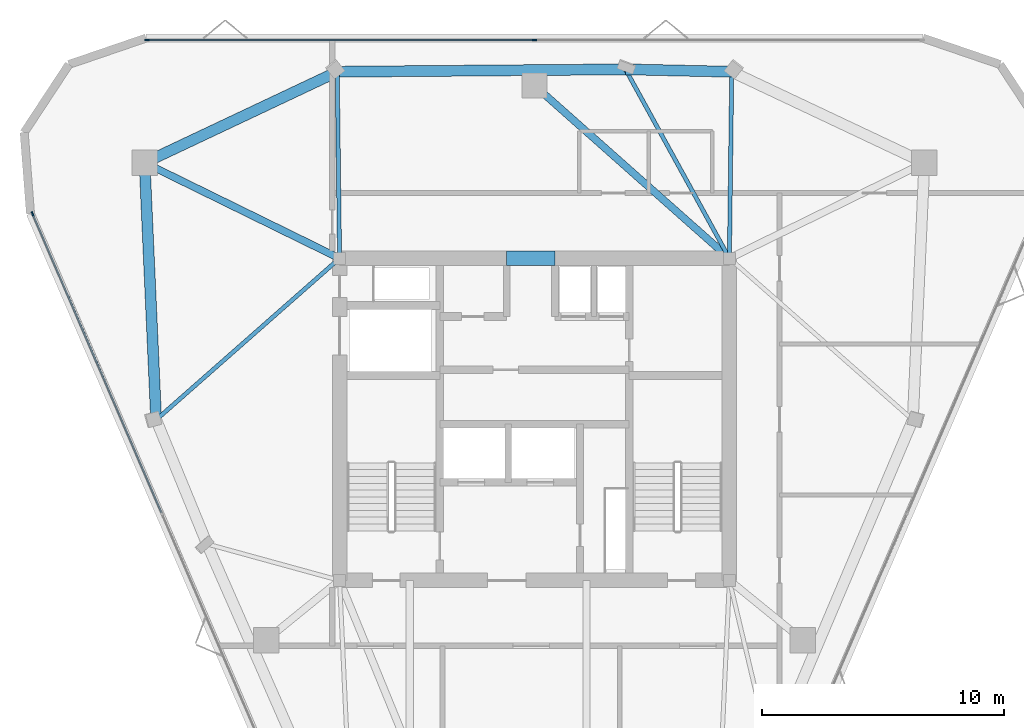
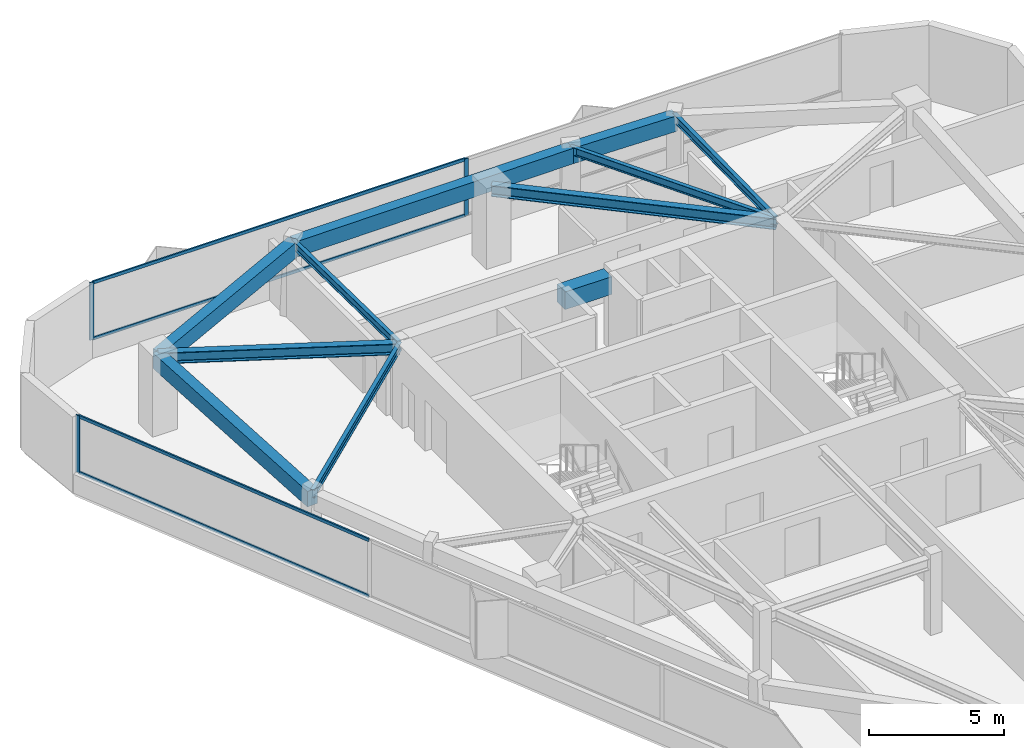
# One storey, part 4 of 9: 11 beams, 7 members, 2 elements without a shape of their own.
"""IFC4 building model written with IfcOpenShell, lengths in metres."""

import ifcopenshell
import ifcopenshell.guid

model = None  # the IFC model being written
_history = None  # IfcOwnerHistory: only IFC2X3 demands one
_inside = {}  # id of a spatial element -> (the spatial element, [elements in it])
_under = {}  # id of a project, library or spatial element -> (it, [spatial elements below it])
_declared = {}  # id of a project -> (the project, [libraries it declares])
_typed = {}  # id of a type object -> (the type object, [elements of that type])
_made_of = {}  # id of a material, layer set ... -> (it, [elements and type objects made of it])


def new_model(schema):
    """Start an empty IFC model of exactly this schema.

    Asked for "IFC4X3", IfcOpenShell would pick the latest addendum, in which some entities
    have other attributes; the version numbers below select the first issue.
    IFC2X3 requires an IfcOwnerHistory on every rooted entity: one is made here for all.
    """
    global model, _history
    if schema == "IFC4X3":
        model = ifcopenshell.file(schema_version=(4, 3, 0, 0))
    else:
        model = ifcopenshell.file(schema=schema)
    _inside.clear()
    _under.clear()
    _declared.clear()
    _typed.clear()
    _made_of.clear()
    _history = None
    if model.schema == "IFC2X3":
        org = make("IfcOrganization", Name="unknown")
        user = make(
            "IfcPersonAndOrganization",
            ThePerson=make("IfcPerson", FamilyName="unknown"),
            TheOrganization=org,
        )
        app = make(
            "IfcApplication",
            ApplicationDeveloper=org,
            Version="unknown",
            ApplicationFullName="unknown",
            ApplicationIdentifier="unknown",
        )
        _history = make(
            "IfcOwnerHistory",
            OwningUser=user,
            OwningApplication=app,
            ChangeAction="ADDED",
            CreationDate=0,
        )
    return model


def make(cls, **values):
    """One entity of the class cls with the attributes given. An attribute that is None is left unset."""
    return model.create_entity(
        cls, **{name: value for name, value in values.items() if value is not None}
    )


def rooted(cls, **values):
    """An entity with a GlobalId (a new one), such as an element, a storey or a relation."""
    return make(cls, GlobalId=ifcopenshell.guid.new(), OwnerHistory=_history, **values)


def si_unit(unit_type, name, prefix=None):
    """IfcSIUnit, for example si_unit("LENGTHUNIT", "METRE", prefix="MILLI")."""
    return make("IfcSIUnit", UnitType=unit_type, Prefix=prefix, Name=name)


def assignment(units):
    """IfcUnitAssignment: the units of a project."""
    return None if units is None else make("IfcUnitAssignment", Units=units)


def point(xyz):
    """IfcCartesianPoint."""
    return None if xyz is None else make("IfcCartesianPoint", Coordinates=xyz)


def direction(xyz):
    """IfcDirection."""
    return None if xyz is None else make("IfcDirection", DirectionRatios=xyz)


def frame(location, z_axis=None, x_axis=None):
    """IfcAxis2Placement3D, a coordinate frame: its origin and axes. An axis left out is left unset."""
    return make(
        "IfcAxis2Placement3D",
        Location=point(location),
        Axis=direction(z_axis),
        RefDirection=direction(x_axis),
    )


def frame_2d(location, x_axis=None):
    """IfcAxis2Placement2D, a coordinate frame in the plane: its origin and x axis."""
    return make(
        "IfcAxis2Placement2D", Location=point(location), RefDirection=direction(x_axis)
    )


def origin():
    """The frame at (0, 0, 0) with its axes left unset."""
    return frame((0.0, 0.0, 0.0))


def origin_2d():
    """The frame at (0, 0) in the plane with its x axis left unset."""
    return frame_2d((0.0, 0.0))


def place(relative_to, where):
    """IfcLocalPlacement: puts the frame where relative to a parent placement (None: the world)."""
    return make(
        "IfcLocalPlacement", PlacementRelTo=relative_to, RelativePlacement=where
    )


def context(
    kind, dimensions, precision=None, world=None, true_north=None, identifier=None
):
    """IfcGeometricRepresentationContext, for example the 3D "Model" context."""
    return make(
        "IfcGeometricRepresentationContext",
        ContextIdentifier=identifier,
        ContextType=kind,
        CoordinateSpaceDimension=dimensions,
        Precision=precision,
        WorldCoordinateSystem=world,
        TrueNorth=true_north,
    )


def subcontext(parent, identifier, kind, view, scale=None):
    """IfcGeometricRepresentationSubContext, for example "Body" below "Model"."""
    return make(
        "IfcGeometricRepresentationSubContext",
        ContextIdentifier=identifier,
        ContextType=kind,
        ParentContext=parent,
        TargetScale=scale,
        TargetView=view,
    )


def project(units=None, contexts=None):
    """IfcProject with its units and contexts."""
    return rooted(
        "IfcProject",
        Name="project",
        RepresentationContexts=contexts,
        UnitsInContext=assignment(units),
    )


def spatial(cls, under=None, at=None, **own):
    """A site, building, storey or space (cls), placed at a placement, below another one or the project."""
    s = rooted(cls, ObjectPlacement=at, **own)
    if under is not None:
        _under.setdefault(under.id(), (under, []))[1].append(s)
    return s


def profile(cls, at=None, kind="AREA", **sizes):
    """A parametric profile (cls). Its sizes go by their IFC names, for example OverallWidth=200.0."""
    return make(cls, ProfileType=kind, Position=at, **sizes)


def rectangle(**sizes):
    """IfcRectangleProfileDef."""
    return profile("IfcRectangleProfileDef", **sizes)


def i_section(**sizes):
    """IfcIShapeProfileDef."""
    return profile("IfcIShapeProfileDef", **sizes)


def extrude(swept, where, along, depth):
    """IfcExtrudedAreaSolid: the profile swept, set in the frame where, extruded along a direction by depth."""
    return make(
        "IfcExtrudedAreaSolid",
        SweptArea=swept,
        Position=where,
        ExtrudedDirection=direction(along),
        Depth=depth,
    )


def shape(context_of_items, identifier, shape_type, items):
    """IfcShapeRepresentation: the items that make up one representation, for example the "Body"."""
    return make(
        "IfcShapeRepresentation",
        ContextOfItems=context_of_items,
        RepresentationIdentifier=identifier,
        RepresentationType=shape_type,
        Items=items,
    )


def material(Name=None, Category=None):
    """IfcMaterial."""
    return make("IfcMaterial", Name=Name, Category=Category)


def layer(
    of_material, thickness, ventilated=None, Name=None, Category=None, Priority=None
):
    """IfcMaterialLayer: one layer of a wall or slab, of a material (None: an air gap)."""
    return make(
        "IfcMaterialLayer",
        Material=of_material,
        LayerThickness=thickness,
        IsVentilated=ventilated,
        Name=Name,
        Category=Category,
        Priority=Priority,
    )


def layer_set(layers, Name=None):
    """IfcMaterialLayerSet."""
    return make("IfcMaterialLayerSet", MaterialLayers=layers, LayerSetName=Name)


def material_profile(
    of_material, cross_section, Name=None, Category=None, Priority=None
):
    """IfcMaterialProfile: a cross section and its material."""
    return make(
        "IfcMaterialProfile",
        Name=Name,
        Material=of_material,
        Profile=cross_section,
        Priority=Priority,
        Category=Category,
    )


def profile_set(profiles, Name=None, composite=None):
    """IfcMaterialProfileSet."""
    return make(
        "IfcMaterialProfileSet",
        Name=Name,
        MaterialProfiles=profiles,
        CompositeProfile=composite,
    )


def made_of(thing, what):
    """Note that an element or type object is made of a material, layer set ...; save() writes the relation."""
    if what is not None:
        _made_of.setdefault(what.id(), (what, []))[1].append(thing)
    return thing


def type_object(cls, material=None, **own):
    """A type object (cls), such as IfcWallType, which elements share."""
    return made_of(rooted(cls, **own), material)


def element(
    cls,
    number,
    at=None,
    inside=None,
    cuts=None,
    type_object=None,
    material=None,
    context=None,
    identifier="Body",
    shape_type=None,
    held_by="IfcProductDefinitionShape",
    body=None,
    shapes=None,
    **own,
):
    """One element of the class cls, such as IfcWall. Its Tag is "e" and its number.

    at: its placement. inside: the storey or other place that contains it. cuts: it is an
    opening in that element (IfcRelVoidsElement). A single representation is given by context,
    identifier, shape_type and body (its items); several are given by shapes. held_by: the class
    of the entity that holds the representations. save() writes the other relations.
    """
    e = rooted(cls, Tag="e%d" % number, ObjectPlacement=at, **own)
    if body is not None:
        shapes = [shape(context, identifier, shape_type, body)]
    if shapes is not None:
        e.Representation = make(held_by, Representations=shapes)
    if inside is not None:
        _inside.setdefault(inside.id(), (inside, []))[1].append(e)
    if cuts is not None:
        rooted(
            "IfcRelVoidsElement", RelatingBuildingElement=cuts, RelatedOpeningElement=e
        )
    if type_object is not None:
        _typed.setdefault(type_object.id(), (type_object, []))[1].append(e)
    return made_of(e, material)


def aggregate(whole, parts):
    """IfcRelAggregates: a whole, such as a stair, and the parts it consists of."""
    return rooted("IfcRelAggregates", RelatingObject=whole, RelatedObjects=parts)


def save(model, path):
    """Write the relations noted so far, then the file.

    IfcRelAggregates (storeys below a building ...), IfcRelContainedInSpatialStructure (elements
    in a storey), IfcRelDefinesByType, IfcRelAssociatesMaterial and IfcRelDeclares: one each for
    every whole, place, type object, material and project.
    """
    for whole, parts in _under.values():
        aggregate(whole, parts)
    for where, things in _inside.values():
        rooted(
            "IfcRelContainedInSpatialStructure",
            RelatedElements=things,
            RelatingStructure=where,
        )
    for kind, things in _typed.values():
        rooted("IfcRelDefinesByType", RelatedObjects=things, RelatingType=kind)
    for what, things in _made_of.values():
        rooted("IfcRelAssociatesMaterial", RelatedObjects=things, RelatingMaterial=what)
    for by, libraries in _declared.values():
        rooted("IfcRelDeclares", RelatingContext=by, RelatedDefinitions=libraries)
    model.write(path)


model = new_model("IFC4")

# Units and contexts
model_context = context("Model", 3, precision=1e-05, world=origin(), true_north=direction((0.0, 1.0)))
body_context = subcontext(model_context, "Body", "Model", "MODEL_VIEW")
ifc_project = project(units=[si_unit("LENGTHUNIT", "METRE"), si_unit("AREAUNIT", "SQUARE_METRE"), si_unit("VOLUMEUNIT", "CUBIC_METRE"), si_unit("PLANEANGLEUNIT", "RADIAN"), si_unit("MASSUNIT", "GRAM", prefix="KILO")], contexts=[model_context])

# Site, building, storey
site_placement = place(None, origin())
site = spatial("IfcSite", under=ifc_project, at=site_placement, CompositionType="ELEMENT")
building_placement = place(site_placement, origin())
building = spatial("IfcBuilding", under=site, at=building_placement, Name="Talyreon Biosciences Tower", CompositionType="ELEMENT")
storey_placement = place(building_placement, frame((0.0, 0.0, 298.39990234375)))
storey = spatial("IfcBuildingStorey", under=building, at=storey_placement, Name="L79", CompositionType="ELEMENT", Elevation=298.39990234375)

# Curtain wall, member
ifc_material_1 = material(Name="Thermally broken aluminium and low-E glazing", Category="aluminium")
ifc_layer = layer(ifc_material_1, 0.175048828125)
ifc_layer_set = layer_set([ifc_layer], Name="Thermally broken aluminium and low-E glazing")
curtain_wall_type = type_object("IfcCurtainWallType", Name="CurtainWall_Zone5CompLab", PredefinedType="NOTDEFINED", material=ifc_layer_set)
curtain_wall_1_placement = place(storey_placement, origin())
curtain_wall_1 = element("IfcCurtainWall", 1, at=curtain_wall_1_placement, inside=storey, type_object=curtain_wall_type, Name="L79 Unitised Curtain Wall FCW-L79-00", PredefinedType="NOTDEFINED")
ifc_material_2 = material(Name="Anodised thermally broken aluminium", Category="aluminium")
ifc_material_profile_1 = material_profile(ifc_material_2, rectangle(XDim=0.06494140625, YDim=0.179931640625, at=origin_2d()), Name="ALUM MULLION 65x180")
ifc_profile_set_1 = profile_set([ifc_material_profile_1], Name="Anodised thermally broken aluminium")
member_type_1 = type_object("IfcMemberType", Name="CWMullion_65x180", PredefinedType="MULLION", material=ifc_profile_set_1)
member_1_placement = place(storey_placement, frame((45.26953125, 76.4921875, 0.81005859375), z_axis=(0.0, 0.0, 1.0), x_axis=(-0.918187314575, -0.396146507437, 0.0)))
member_1 = element("IfcMember", 2, at=member_1_placement, type_object=member_type_1, Name="CW6 mullion 4", PredefinedType="MULLION", context=body_context, shape_type="SweptSolid", body=[
    extrude(rectangle(XDim=0.06494140625, YDim=0.179931640625, at=origin_2d()), origin(), (0.0, 0.0, 1.0), 2.590087890625),
])

# Curtain wall, members
curtain_wall_2_placement = place(storey_placement, origin())
curtain_wall_2 = element("IfcCurtainWall", 3, at=curtain_wall_2_placement, inside=storey, type_object=curtain_wall_type, Name="L79 Unitised Curtain Wall FCW-L79-04", PredefinedType="NOTDEFINED")
member_2_placement = place(storey_placement, frame((49.990234375, 83.67041015625, 0.81005859375), z_axis=(0.0, 0.0, 1.0), x_axis=(0.0, 1.0, 0.0)))
member_2 = element("IfcMember", 4, at=member_2_placement, type_object=member_type_1, Name="CW6 mullion 1", PredefinedType="MULLION", context=body_context, shape_type="SweptSolid", body=[
    extrude(rectangle(XDim=0.06494140625, YDim=0.179931640625, at=origin_2d()), origin(), (0.0, 0.0, 1.0), 2.590087890625),
])
member_3_placement = place(storey_placement, frame((66.0, 83.67041015625, 0.81005859375), z_axis=(0.0, 0.0, 1.0), x_axis=(0.0, 1.0, 0.0)))
member_3 = element("IfcMember", 5, at=member_3_placement, type_object=member_type_1, Name="CW6 mullion 2", PredefinedType="MULLION", context=body_context, shape_type="SweptSolid", body=[
    extrude(rectangle(XDim=0.06494140625, YDim=0.179931640625, at=origin_2d()), origin(), (0.0, 0.0, 1.0), 2.590087890625),
])

# Member
ifc_material_profile_2 = material_profile(ifc_material_2, rectangle(XDim=0.06494140625, YDim=0.139892578125, at=origin_2d()), Name="ALUM TRANSOM 65x140")
ifc_profile_set_2 = profile_set([ifc_material_profile_2], Name="Anodised thermally broken aluminium")
member_type_2 = type_object("IfcMemberType", Name="CWTransom_65x140", PredefinedType="USERDEFINED", material=ifc_profile_set_2)
member_4_placement = place(storey_placement, frame((50.591064453125, 64.15771484375, 0.842529296875), z_axis=(-0.396134480122, 0.918192503595, 0.0), x_axis=(-0.918192503595, -0.396134480122, 0.0)))
member_4 = element("IfcMember", 6, at=member_4_placement, type_object=member_type_2, Name="CW6 transom 3.1", ObjectType="TRANSOM", PredefinedType="USERDEFINED", context=body_context, shape_type="SweptSolid", body=[
    extrude(rectangle(XDim=0.06494140625, YDim=0.139892578125, at=origin_2d()), origin(), (0.0, 0.0, 1.0), 13.40087890625),
])

member_5_placement = place(storey_placement, frame((50.591064453125, 64.15771484375, 3.36767578125), z_axis=(-0.396134480122, 0.918192503595, 0.0), x_axis=(-0.918192503595, -0.396134480122, 0.0)))
member_5 = element("IfcMember", 7, at=member_5_placement, type_object=member_type_2, Name="CW6 transom 3.2", ObjectType="TRANSOM", PredefinedType="USERDEFINED", context=body_context, shape_type="SweptSolid", body=[
    extrude(rectangle(XDim=0.06494140625, YDim=0.139892578125, at=origin_2d()), origin(), (0.0, 0.0, 1.0), 13.40087890625),
])

aggregate(curtain_wall_1, [member_1, member_4, member_5])

member_6_placement = place(storey_placement, frame((50.022705078125, 83.67041015625, 0.842529296875), z_axis=(1.0, 0.0, 0.0), x_axis=(0.0, 1.0, 0.0)))
member_6 = element("IfcMember", 8, at=member_6_placement, type_object=member_type_2, Name="CW6 transom 1.1", ObjectType="TRANSOM", PredefinedType="USERDEFINED", context=body_context, shape_type="SweptSolid", body=[
    extrude(rectangle(XDim=0.06494140625, YDim=0.139892578125, at=origin_2d()), origin(), (0.0, 0.0, 1.0), 15.94482421875),
])

member_7_placement = place(storey_placement, frame((50.022705078125, 83.67041015625, 3.36767578125), z_axis=(1.0, 0.0, 0.0), x_axis=(0.0, 1.0, 0.0)))
member_7 = element("IfcMember", 9, at=member_7_placement, type_object=member_type_2, Name="CW6 transom 1.2", ObjectType="TRANSOM", PredefinedType="USERDEFINED", context=body_context, shape_type="SweptSolid", body=[
    extrude(rectangle(XDim=0.06494140625, YDim=0.139892578125, at=origin_2d()), origin(), (0.0, 0.0, 1.0), 15.94482421875),
])

aggregate(curtain_wall_2, [member_2, member_3, member_6, member_7])

# Beams
ifc_material_3 = material(Name="Concrete C50/60", Category="concrete")
ifc_material_profile_3 = material_profile(ifc_material_3, rectangle(XDim=0.60009765625, YDim=0.800048828125, at=origin_2d()), Name="RCB 600x800")
ifc_profile_set_3 = profile_set([ifc_material_profile_3], Name="Concrete C50/60")
beam_type_1 = type_object("IfcBeamType", Name="CoreCouplingLintel_600x800", PredefinedType="LINTEL", material=ifc_profile_set_3)
beam_1_placement = place(storey_placement, frame((64.85009765625, 74.64990234375, 3.0), z_axis=(1.0, 0.0, 0.0), x_axis=(0.0, 1.0, 0.0)))
element("IfcBeam", 10, at=beam_1_placement, inside=storey, type_object=beam_type_1, Name="L79 Core Coupling Lintel", PredefinedType="LINTEL", context=body_context, shape_type="SweptSolid", body=[
    extrude(rectangle(XDim=0.60009765625, YDim=0.800048828125, at=origin_2d()), origin(), (0.0, 0.0, 1.0), 2.0),
])
ifc_material_4 = material(Name="Precast concrete C45/55", Category="concrete")
ifc_material_profile_4 = material_profile(ifc_material_4, rectangle(XDim=0.449951171875, YDim=0.699951171875, at=origin_2d()), Name="RCB 450x700")
ifc_profile_set_4 = profile_set([ifc_material_profile_4], Name="Precast concrete C45/55")
beam_type_2 = type_object("IfcBeamType", Name="ExpressedSpandrel_450x700", PredefinedType="SPANDREL", material=ifc_profile_set_4)
beam_2_placement = place(storey_placement, frame((74.14599609375, 82.355712890625, 3.050048828125), z_axis=(-0.999739705294, 0.022814943737, 0.0), x_axis=(-0.022814943737, -0.999739705294, 0.0)))
element("IfcBeam", 11, at=beam_2_placement, inside=storey, type_object=beam_type_2, Name="L79 Expressed Horizontal Concrete Spandrel 06", PredefinedType="SPANDREL", context=body_context, shape_type="SweptSolid", body=[
    extrude(rectangle(XDim=0.449951171875, YDim=0.699951171875, at=origin_2d()), origin(), (0.0, 0.0, 1.0), 4.387451171875),
])
beam_3_placement = place(storey_placement, frame((69.759765625, 82.455810546875, 3.050048828125), z_axis=(-0.99996465887, -0.008407199896, 0.0), x_axis=(0.008407199896, -0.99996465887, 0.0)))
element("IfcBeam", 12, at=beam_3_placement, inside=storey, type_object=beam_type_2, Name="L79 Expressed Horizontal Concrete Spandrel 07", PredefinedType="SPANDREL", context=body_context, shape_type="SweptSolid", body=[
    extrude(rectangle(XDim=0.449951171875, YDim=0.699951171875, at=origin_2d()), origin(), (0.0, 0.0, 1.0), 11.90625),
])
beam_4_placement = place(storey_placement, frame((57.85400390625, 82.355712890625, 3.050048828125), z_axis=(-0.904251325158, -0.42700063343, 0.0), x_axis=(0.42700063343, -0.904251325158, 0.0)))
element("IfcBeam", 13, at=beam_4_placement, inside=storey, type_object=beam_type_2, Name="L79 Expressed Horizontal Concrete Spandrel 08", PredefinedType="SPANDREL", context=body_context, shape_type="SweptSolid", body=[
    extrude(rectangle(XDim=0.449951171875, YDim=0.699951171875, at=origin_2d()), origin(), (0.0, 0.0, 1.0), 8.798828125),
])
beam_5_placement = place(storey_placement, frame((49.897705078125, 78.5986328125, 3.050048828125), z_axis=(0.044908542512, -0.998991102468, 0.0), x_axis=(0.998991102468, 0.044908542512, 0.0)))
element("IfcBeam", 14, at=beam_5_placement, inside=storey, type_object=beam_type_2, Name="L79 Expressed Horizontal Concrete Spandrel 09", PredefinedType="SPANDREL", context=body_context, shape_type="SweptSolid", body=[
    extrude(rectangle(XDim=0.449951171875, YDim=0.699951171875, at=origin_2d()), origin(), (0.0, 0.0, 1.0), 10.628173828125),
])
ifc_material_5 = material(Name="Steel SM355", Category="steel")
ifc_material_profile_5 = material_profile(ifc_material_5, i_section(OverallWidth=0.300048828125, OverallDepth=0.5, WebThickness=0.014404296875, FlangeThickness=0.028076171875, FilletRadius=0.027099609375, at=origin_2d()), Name="HE500B")
ifc_profile_set_5 = profile_set([ifc_material_profile_5], Name="Steel SM355")
beam_type_3 = type_object("IfcBeamType", Name="SteelBeam_HE500B", PredefinedType="BEAM", material=ifc_profile_set_5)
beam_6_placement = place(storey_placement, frame((74.050048828125, 74.64990234375, 3.150146484375), z_axis=(-0.748178733955, 0.663497235908, 0.0), x_axis=(-0.663497235908, -0.748178733955, 0.0)))
element("IfcBeam", 15, at=beam_6_placement, inside=storey, type_object=beam_type_3, Name="L79 Radial Primary Girder 4", PredefinedType="BEAM", context=body_context, shape_type="SweptSolid", body=[
    extrude(i_section(OverallWidth=0.300048828125, OverallDepth=0.5, WebThickness=0.014404296875, FlangeThickness=0.028076171875, FilletRadius=0.027099609375, at=origin_2d()), origin(), (0.0, 0.0, 1.0), 10.759521484375),
])
beam_7_placement = place(storey_placement, frame((57.949951171875, 74.64990234375, 3.150146484375), z_axis=(-0.897852360314, 0.440296648952, 0.0), x_axis=(-0.440296648952, -0.897852360314, 0.0)))
element("IfcBeam", 16, at=beam_7_placement, inside=storey, type_object=beam_type_3, Name="L79 Radial Primary Girder 5", PredefinedType="BEAM", context=body_context, shape_type="SweptSolid", body=[
    extrude(i_section(OverallWidth=0.300048828125, OverallDepth=0.5, WebThickness=0.014404296875, FlangeThickness=0.028076171875, FilletRadius=0.027099609375, at=origin_2d()), origin(), (0.0, 0.0, 1.0), 8.96826171875),
])
ifc_material_profile_6 = material_profile(ifc_material_5, i_section(OverallWidth=0.169921875, OverallDepth=0.360107421875, WebThickness=0.008056640625, FlangeThickness=0.0126953125, FilletRadius=0.01806640625, at=origin_2d()), Name="IPE360")
ifc_profile_set_6 = profile_set([ifc_material_profile_6], Name="Steel SM355")
beam_type_4 = type_object("IfcBeamType", Name="SteelJoist_IPE360", PredefinedType="JOIST", material=ifc_profile_set_6)
beam_8_placement = place(storey_placement, frame((74.050048828125, 74.64990234375, 3.22021484375), z_axis=(0.012450322823, 0.999922491727, 0.0), x_axis=(-0.999922491727, 0.012450322823, 0.0)))
element("IfcBeam", 17, at=beam_8_placement, inside=storey, type_object=beam_type_4, Name="L79 Radial Composite Floor Joist PC-N1", PredefinedType="JOIST", context=body_context, shape_type="SweptSolid", body=[
    extrude(i_section(OverallWidth=0.169921875, OverallDepth=0.360107421875, WebThickness=0.008056640625, FlangeThickness=0.0126953125, FilletRadius=0.01806640625, at=origin_2d()), origin(), (0.0, 0.0, 1.0), 7.706298828125),
])
beam_9_placement = place(storey_placement, frame((74.050048828125, 74.64990234375, 3.22021484375), z_axis=(-0.48166304972, 0.876356495117, 0.0), x_axis=(-0.876356495117, -0.48166304972, 0.0)))
element("IfcBeam", 18, at=beam_9_placement, inside=storey, type_object=beam_type_4, Name="L79 Radial Composite Floor Joist PL-N", PredefinedType="JOIST", context=body_context, shape_type="SweptSolid", body=[
    extrude(i_section(OverallWidth=0.169921875, OverallDepth=0.360107421875, WebThickness=0.008056640625, FlangeThickness=0.0126953125, FilletRadius=0.01806640625, at=origin_2d()), origin(), (0.0, 0.0, 1.0), 8.9072265625),
])
beam_10_placement = place(storey_placement, frame((57.949951171875, 74.64990234375, 3.22021484375), z_axis=(-0.012450322823, 0.999922491727, 0.0), x_axis=(-0.999922491727, -0.012450322823, 0.0)))
element("IfcBeam", 19, at=beam_10_placement, inside=storey, type_object=beam_type_4, Name="L79 Radial Composite Floor Joist PC-N2", PredefinedType="JOIST", context=body_context, shape_type="SweptSolid", body=[
    extrude(i_section(OverallWidth=0.169921875, OverallDepth=0.360107421875, WebThickness=0.008056640625, FlangeThickness=0.0126953125, FilletRadius=0.01806640625, at=origin_2d()), origin(), (0.0, 0.0, 1.0), 7.706298828125),
])
beam_11_placement = place(storey_placement, frame((57.949951171875, 74.64990234375, 3.22021484375), z_axis=(-0.750578650374, -0.660781120797, 0.0), x_axis=(0.660781120797, -0.750578650374, 0.0)))
element("IfcBeam", 20, at=beam_11_placement, inside=storey, type_object=beam_type_4, Name="L79 Radial Composite Floor Joist PC-SW1", PredefinedType="JOIST", context=body_context, shape_type="SweptSolid", body=[
    extrude(i_section(OverallWidth=0.169921875, OverallDepth=0.360107421875, WebThickness=0.008056640625, FlangeThickness=0.0126953125, FilletRadius=0.01806640625, at=origin_2d()), origin(), (0.0, 0.0, 1.0), 10.092041015625),
])

save(model, "model.ifc")
